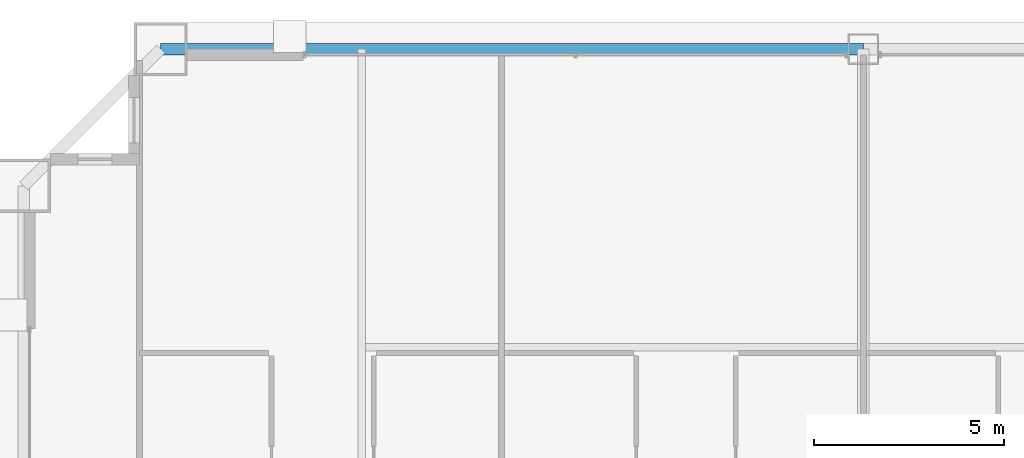
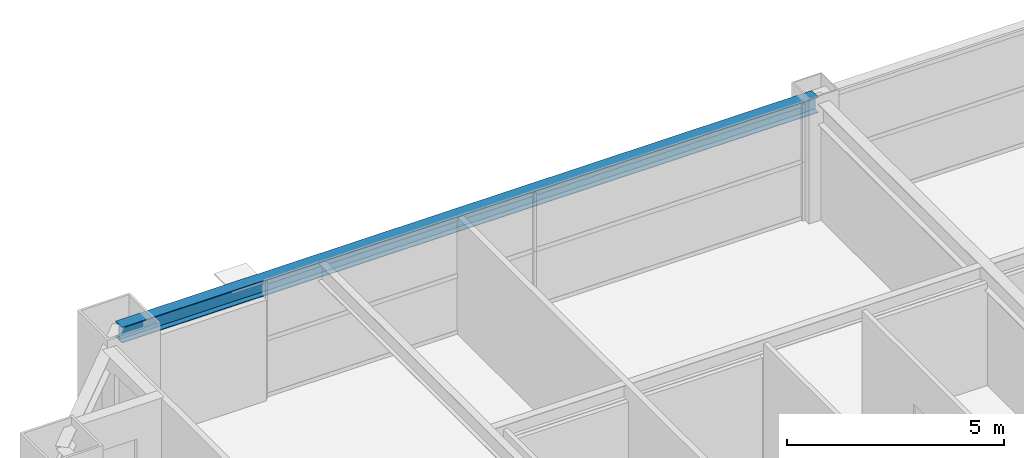
# One storey, part 26 of 38: 1 beam.
"""IFC4 building model written with IfcOpenShell, lengths in metres."""

from ifc_helpers import new_model, si_unit, direction, frame, origin, origin_2d, place, context, subcontext, project, spatial, i_section, extrude, source, transform, mapped, material, material_profile, profile_set, type_object, element, save


model = new_model("IFC4")

# Units and contexts
model_context = context("Model", 3, precision=1e-05, world=origin(), true_north=direction((0.0, 1.0)))
body_context = subcontext(model_context, "Body", "Model", "MODEL_VIEW")
ifc_project = project(units=[si_unit("LENGTHUNIT", "METRE"), si_unit("AREAUNIT", "SQUARE_METRE"), si_unit("VOLUMEUNIT", "CUBIC_METRE"), si_unit("PLANEANGLEUNIT", "RADIAN"), si_unit("MASSUNIT", "GRAM", prefix="KILO"), si_unit("THERMODYNAMICTEMPERATUREUNIT", "KELVIN"), si_unit("POWERUNIT", "WATT")], contexts=[model_context])

# Site, building, storey
site_placement = place(None, origin())
site = spatial("IfcSite", under=ifc_project, at=site_placement, CompositionType="ELEMENT")
building_placement = place(site_placement, origin())
building = spatial("IfcBuilding", under=site, at=building_placement, Name="Yuzanri Waterfront Tower", CompositionType="ELEMENT")
storey_placement = place(building_placement, frame((0.0, 0.0, 181.0)))
storey = spatial("IfcBuildingStorey", under=building, at=storey_placement, Name="L47", CompositionType="ELEMENT", Elevation=181.0)

# Beam
ifc_material = material(Name="Steel Q355B", Category="steel")
ifc_material_profile = material_profile(ifc_material, i_section(OverallWidth=0.300048828125, OverallDepth=0.43994140625, WebThickness=0.010986328125, FlangeThickness=0.01806640625, at=origin_2d()), Name="HM 440x300x11x18")
ifc_profile_set = profile_set([ifc_material_profile], Name="Steel Q355B")
beam_type = type_object("IfcBeamType", Name="Perimeter Spandrel Q355B HM 440x300", PredefinedType="SPANDREL", material=ifc_profile_set)
shared_shape = source(origin(), body_context, "Body", "SweptSolid", [
    extrude(i_section(OverallWidth=0.300048828125, OverallDepth=0.43994140625, WebThickness=0.010986328125, FlangeThickness=0.01806640625, at=origin_2d()), origin(), (0.0, 0.0, 1.0), 18.5),
])
beam_placement = place(storey_placement, frame((37.0, 47.89990234375, 3.06005859375), z_axis=(-1.0, 0.0, 0.0), x_axis=(0.0, -1.0, 0.0)))
element("IfcBeam", 1, at=beam_placement, inside=storey, type_object=beam_type, Name="L47 Perimeter Spandrel N2-N1", PredefinedType="SPANDREL", context=body_context, shape_type="MappedRepresentation", body=[
    mapped(shared_shape, transform((0.0, 0.0, 0.0), scale=1.0)),
])

save(model, "model.ifc")
